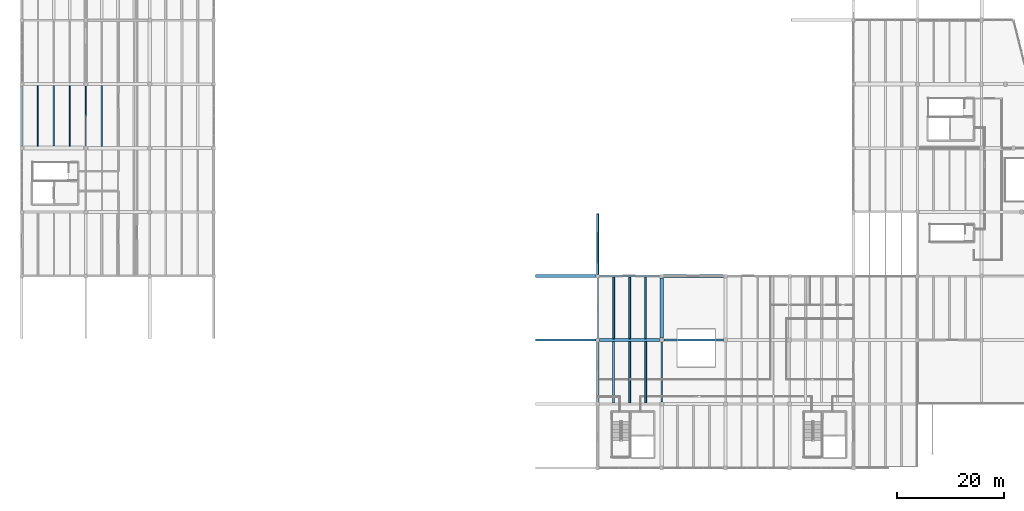
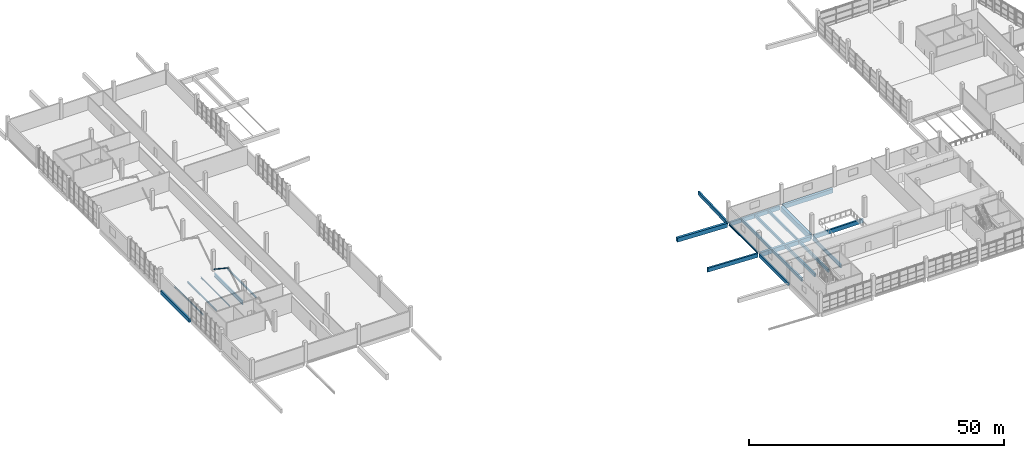
# One storey, part 8 of 49: 23 beams, 1 member.
"""IFC4 building model written with IfcOpenShell, lengths in metres."""

from ifc_helpers import new_model, si_unit, direction, frame, origin, origin_2d, place, context, subcontext, project, spatial, rectangle, hollow_rectangle, i_section, extrude, material, material_profile, profile_set, type_object, element, save


model = new_model("IFC4")

# Units and contexts
model_context = context("Model", 3, precision=1e-05, world=origin(), true_north=direction((0.0, 1.0)))
body_context = subcontext(model_context, "Body", "Model", "MODEL_VIEW")
ifc_project = project(units=[si_unit("LENGTHUNIT", "METRE"), si_unit("AREAUNIT", "SQUARE_METRE"), si_unit("VOLUMEUNIT", "CUBIC_METRE"), si_unit("PLANEANGLEUNIT", "RADIAN"), si_unit("MASSUNIT", "GRAM", prefix="KILO")], contexts=[model_context])

# Site, building, storey
site_placement = place(None, origin())
site = spatial("IfcSite", under=ifc_project, at=site_placement, CompositionType="ELEMENT")
building_placement = place(site_placement, origin())
building = spatial("IfcBuilding", under=site, at=building_placement, Name="Kamomehara Wholesale Market", CompositionType="ELEMENT")
storey_placement = place(building_placement, frame((0.0, 0.0, 11.39990234375)))
storey = spatial("IfcBuildingStorey", under=building, at=storey_placement, Name="L02", CompositionType="ELEMENT", Elevation=11.39990234375)

# Beams
ifc_material_1 = material(Name="Precast concrete Fc45 (C40/50)", Category="concrete")
ifc_material_profile_1 = material_profile(ifc_material_1, rectangle(XDim=0.64990234375, YDim=1.25, at=origin_2d()), Name="PC-GRD-650x1250")
ifc_profile_set_1 = profile_set([ifc_material_profile_1], Name="Precast concrete Fc45 (C40/50)")
beam_type_1 = type_object("IfcBeamType", Name="BM-PG1250", PredefinedType="T_BEAM", material=ifc_profile_set_1)
beam_1_placement = place(storey_placement, frame((120.0, 36.39990234375, -0.966796875), z_axis=(0.0, 1.0, 0.0), x_axis=(-1.0, 0.0, 0.0)))
element("IfcBeam", 1, at=beam_1_placement, inside=storey, type_object=beam_type_1, Name="Beam PG-04 L02", PredefinedType="T_BEAM", context=body_context, shape_type="SweptSolid", body=[
    extrude(rectangle(XDim=0.64990234375, YDim=1.25, at=origin_2d()), origin(), (0.0, 0.0, 1.0), 11.22509765625),
])
ifc_material_2 = material(Name="Precast concrete Fc45 (C40/50)", Category="concrete")
ifc_material_profile_2 = material_profile(ifc_material_2, rectangle(XDim=0.300048828125, YDim=0.60009765625, at=origin_2d()), Name="PC-JST-300x600")
ifc_profile_set_2 = profile_set([ifc_material_profile_2], Name="Precast concrete Fc45 (C40/50)")
beam_type_2 = type_object("IfcBeamType", Name="BM-PJ600B", PredefinedType="JOIST", material=ifc_profile_set_2)
beam_2_placement = place(storey_placement, frame((117.0, 36.27490234375, -0.621826171875), z_axis=(0.0, 1.0, 0.0), x_axis=(-1.0, 0.0, 0.0)))
element("IfcBeam", 2, at=beam_2_placement, inside=storey, type_object=beam_type_2, Name="Beam PJ-10 L02", PredefinedType="JOIST", context=body_context, shape_type="SweptSolid", body=[
    extrude(rectangle(XDim=0.300048828125, YDim=0.60009765625, at=origin_2d()), origin(), (0.0, 0.0, 1.0), 11.525146484375),
])
ifc_material_3 = material(Name="Precast concrete Fc45 (C40/50)", Category="concrete")
ifc_material_profile_3 = material_profile(ifc_material_3, rectangle(XDim=0.35009765625, YDim=0.64990234375, at=origin_2d()), Name="PC-JST-350x650")
ifc_profile_set_3 = profile_set([ifc_material_profile_3], Name="Precast concrete Fc45 (C40/50)")
beam_type_3 = type_object("IfcBeamType", Name="BM-PJ650", PredefinedType="JOIST", material=ifc_profile_set_3)
beam_3_placement = place(storey_placement, frame((114.0, 36.27490234375, -0.64697265625), z_axis=(0.0, 1.0, 0.0), x_axis=(-1.0, 0.0, 0.0)))
element("IfcBeam", 3, at=beam_3_placement, inside=storey, type_object=beam_type_3, Name="Beam PJ-04 L02", PredefinedType="JOIST", context=body_context, shape_type="SweptSolid", body=[
    extrude(rectangle(XDim=0.35009765625, YDim=0.64990234375, at=origin_2d()), origin(), (0.0, 0.0, 1.0), 11.525146484375),
])
ifc_material_4 = material(Name="Precast concrete Fc45 (C40/50)", Category="concrete")
ifc_material_profile_4 = material_profile(ifc_material_4, rectangle(XDim=0.340087890625, YDim=0.679931640625, at=origin_2d()), Name="PC-JST-340x680")
ifc_profile_set_4 = profile_set([ifc_material_profile_4], Name="Precast concrete Fc45 (C40/50)")
beam_type_4 = type_object("IfcBeamType", Name="BM-PJ680", PredefinedType="JOIST", material=ifc_profile_set_4)
beam_4_placement = place(storey_placement, frame((111.0, 36.27490234375, -0.661865234375), z_axis=(0.0, 1.0, 0.0), x_axis=(-1.0, 0.0, 0.0)))
element("IfcBeam", 4, at=beam_4_placement, inside=storey, type_object=beam_type_4, Name="Beam PJ-09 L02", PredefinedType="JOIST", context=body_context, shape_type="SweptSolid", body=[
    extrude(rectangle(XDim=0.340087890625, YDim=0.679931640625, at=origin_2d()), origin(), (0.0, 0.0, 1.0), 11.525146484375),
])
ifc_material_5 = material(Name="Precast concrete Fc45 (C40/50)", Category="concrete")
ifc_material_profile_5 = material_profile(ifc_material_5, rectangle(XDim=0.35009765625, YDim=0.699951171875, at=origin_2d()), Name="PC-JST-350x700")
ifc_profile_set_5 = profile_set([ifc_material_profile_5], Name="Precast concrete Fc45 (C40/50)")
beam_type_5 = type_object("IfcBeamType", Name="BM-PJ700", PredefinedType="JOIST", material=ifc_profile_set_5)
beam_5_placement = place(storey_placement, frame((117.0, 24.199951171875, -0.671875), z_axis=(0.0, 1.0, 0.0), x_axis=(-1.0, 0.0, 0.0)))
element("IfcBeam", 5, at=beam_5_placement, inside=storey, type_object=beam_type_5, Name="Beam PJ-03 L02", PredefinedType="JOIST", context=body_context, shape_type="SweptSolid", body=[
    extrude(rectangle(XDim=0.35009765625, YDim=0.699951171875, at=origin_2d()), origin(), (0.0, 0.0, 1.0), 11.525146484375),
])
ifc_material_6 = material(Name="Precast concrete Fc45 (C40/50)", Category="concrete")
ifc_material_profile_6 = material_profile(ifc_material_6, rectangle(XDim=0.360107421875, YDim=0.719970703125, at=origin_2d()), Name="PC-JST-360x720")
ifc_profile_set_6 = profile_set([ifc_material_profile_6], Name="Precast concrete Fc45 (C40/50)")
beam_type_6 = type_object("IfcBeamType", Name="BM-PJ720", PredefinedType="JOIST", material=ifc_profile_set_6)
beam_6_placement = place(storey_placement, frame((114.0, 24.199951171875, -0.681884765625), z_axis=(0.0, 1.0, 0.0), x_axis=(-1.0, 0.0, 0.0)))
element("IfcBeam", 6, at=beam_6_placement, inside=storey, type_object=beam_type_6, Name="Beam PJ-08 L02", PredefinedType="JOIST", context=body_context, shape_type="SweptSolid", body=[
    extrude(rectangle(XDim=0.360107421875, YDim=0.719970703125, at=origin_2d()), origin(), (0.0, 0.0, 1.0), 11.525146484375),
])
ifc_material_7 = material(Name="Precast concrete Fc45 (C40/50)", Category="concrete")
ifc_material_profile_7 = material_profile(ifc_material_7, rectangle(XDim=0.3798828125, YDim=0.75, at=origin_2d()), Name="PC-JST-380x750")
ifc_profile_set_7 = profile_set([ifc_material_profile_7], Name="Precast concrete Fc45 (C40/50)")
beam_type_7 = type_object("IfcBeamType", Name="BM-PJ750", PredefinedType="JOIST", material=ifc_profile_set_7)
beam_7_placement = place(storey_placement, frame((111.0, 24.199951171875, -0.697021484375), z_axis=(0.0, 1.0, 0.0), x_axis=(-1.0, 0.0, 0.0)))
element("IfcBeam", 7, at=beam_7_placement, inside=storey, type_object=beam_type_7, Name="Beam PJ-02 L02", PredefinedType="JOIST", context=body_context, shape_type="SweptSolid", body=[
    extrude(rectangle(XDim=0.3798828125, YDim=0.75, at=origin_2d()), origin(), (0.0, 0.0, 1.0), 11.525146484375),
])
ifc_material_8 = material(Name="Concrete Fc36 (C35/45)", Category="concrete")
ifc_material_profile_8 = material_profile(ifc_material_8, rectangle(XDim=0.550048828125, YDim=1.0, at=origin_2d()), Name="RC-SEB-550x1000")
ifc_profile_set_8 = profile_set([ifc_material_profile_8], Name="Concrete Fc36 (C35/45)")
beam_type_8 = type_object("IfcBeamType", Name="BM-SEB1000-EXT", PredefinedType="SPANDREL", material=ifc_profile_set_8)
beam_8_placement = place(storey_placement, frame((108.324951171875, 36.0, -0.822021484375), z_axis=(1.0, 0.0, 0.0), x_axis=(0.0, 1.0, 0.0)))
element("IfcBeam", 8, at=beam_8_placement, inside=storey, type_object=beam_type_8, Name="Beam SEB-03E L02", PredefinedType="SPANDREL", context=body_context, shape_type="SweptSolid", body=[
    extrude(rectangle(XDim=0.550048828125, YDim=1.0, at=origin_2d()), origin(), (0.0, 0.0, 1.0), 11.275146484375),
])
beam_9_placement = place(storey_placement, frame((96.324951171875, 48.0, -0.35986328125), z_axis=(0.999379124949, 0.0, -0.035233004642), x_axis=(0.0, 1.0, 0.0)))
element("IfcBeam", 9, at=beam_9_placement, inside=storey, type_object=beam_type_8, Name="Beam SEB-03E L02", PredefinedType="SPANDREL", context=body_context, shape_type="SweptSolid", body=[
    extrude(rectangle(XDim=0.550048828125, YDim=1.0, at=origin_2d()), origin(), (0.0, 0.0, 1.0), 11.357177734375),
])
beam_10_placement = place(storey_placement, frame((120.375, 48.0, -0.841796875), z_axis=(1.0, 0.0, 0.0), x_axis=(0.0, 1.0, 0.0)))
element("IfcBeam", 10, at=beam_10_placement, inside=storey, type_object=beam_type_8, Name="Beam SEB-03E L02", PredefinedType="SPANDREL", context=body_context, shape_type="SweptSolid", body=[
    extrude(rectangle(XDim=0.550048828125, YDim=1.0, at=origin_2d()), origin(), (0.0, 0.0, 1.0), 11.25),
])
ifc_material_9 = material(Name="Precast concrete Fc45 (C40/50)", Category="concrete")
ifc_material_profile_9 = material_profile(ifc_material_9, rectangle(XDim=0.35009765625, YDim=0.85009765625, at=origin_2d()), Name="PC-SPN-350x850")
ifc_profile_set_9 = profile_set([ifc_material_profile_9], Name="Precast concrete Fc45 (C40/50)")
beam_type_9 = type_object("IfcBeamType", Name="BM-SPN850-EXT", PredefinedType="SPANDREL", material=ifc_profile_set_9)
beam_11_placement = place(storey_placement, frame((108.0, 24.324951171875, -0.746826171875), z_axis=(0.0, 1.0, 0.0), x_axis=(-1.0, 0.0, 0.0)))
element("IfcBeam", 11, at=beam_11_placement, inside=storey, type_object=beam_type_9, Name="Beam SPN-02E L02", PredefinedType="SPANDREL", context=body_context, shape_type="SweptSolid", body=[
    extrude(rectangle(XDim=0.35009765625, YDim=0.85009765625, at=origin_2d()), origin(), (0.0, 0.0, 1.0), 11.35009765625),
])
beam_12_placement = place(storey_placement, frame((108.0, 48.324951171875, -0.684814453125), z_axis=(0.0, 0.99937988164, 0.035211534655), x_axis=(-1.0, 0.0, 0.0)))
element("IfcBeam", 12, at=beam_12_placement, inside=storey, type_object=beam_type_9, Name="Beam SPN-02E L02", PredefinedType="SPANDREL", context=body_context, shape_type="SweptSolid", body=[
    extrude(rectangle(XDim=0.35009765625, YDim=0.85009765625, at=origin_2d()), origin(), (0.0, 0.0, 1.0), 11.357177734375),
])
ifc_material_10 = material(Name="Precast concrete Fc45 (C40/50)", Category="concrete")
ifc_material_profile_10 = material_profile(ifc_material_10, rectangle(XDim=0.39990234375, YDim=0.949951171875, at=origin_2d()), Name="PC-SPN-400x950")
ifc_profile_set_10 = profile_set([ifc_material_profile_10], Name="Precast concrete Fc45 (C40/50)")
beam_type_10 = type_object("IfcBeamType", Name="BM-SPN950-EXT", PredefinedType="SPANDREL", material=ifc_profile_set_10)
beam_13_placement = place(storey_placement, frame((96.324951171875, 36.0, -0.3349609375), z_axis=(0.99937988164, 0.0, -0.035211534655), x_axis=(0.0, 1.0, 0.0)))
element("IfcBeam", 13, at=beam_13_placement, inside=storey, type_object=beam_type_10, Name="Beam SPN-01E L02", PredefinedType="SPANDREL", context=body_context, shape_type="SweptSolid", body=[
    extrude(rectangle(XDim=0.39990234375, YDim=0.949951171875, at=origin_2d()), origin(), (0.0, 0.0, 1.0), 11.357177734375),
])
beam_14_placement = place(storey_placement, frame((120.39990234375, 36.0, -0.81689453125), z_axis=(1.0, 0.0, 0.0), x_axis=(0.0, 1.0, 0.0)))
element("IfcBeam", 14, at=beam_14_placement, inside=storey, type_object=beam_type_10, Name="Beam SPN-01E L02", PredefinedType="SPANDREL", context=body_context, shape_type="SweptSolid", body=[
    extrude(rectangle(XDim=0.39990234375, YDim=0.949951171875, at=origin_2d()), origin(), (0.0, 0.0, 1.0), 11.2001953125),
])
beam_15_placement = place(storey_placement, frame((108.324951171875, 48.0, -0.796875), z_axis=(1.0, 0.0, 0.0), x_axis=(0.0, 1.0, 0.0)))
element("IfcBeam", 15, at=beam_15_placement, inside=storey, type_object=beam_type_10, Name="Beam SPN-01E L02", PredefinedType="SPANDREL", context=body_context, shape_type="SweptSolid", body=[
    extrude(rectangle(XDim=0.39990234375, YDim=0.949951171875, at=origin_2d()), origin(), (0.0, 0.0, 1.0), 11.300048828125),
])
beam_16_placement = place(storey_placement, frame((0.0, 72.389892578125, -0.81689453125), z_axis=(0.0, 1.0, 0.0), x_axis=(-1.0, 0.0, 0.0)))
element("IfcBeam", 16, at=beam_16_placement, inside=storey, type_object=beam_type_10, Name="Beam SPN-01E L02", PredefinedType="SPANDREL", context=body_context, shape_type="SweptSolid", body=[
    extrude(rectangle(XDim=0.39990234375, YDim=0.949951171875, at=origin_2d()), origin(), (0.0, 0.0, 1.0), 11.22021484375),
])
ifc_material_11 = material(Name="Steel SN400B", Category="steel")
ifc_material_profile_11 = material_profile(ifc_material_11, i_section(OverallWidth=0.14990234375, OverallDepth=0.300048828125, WebThickness=0.006591796875, FlangeThickness=0.009033203125, FilletRadius=0.012939453125, at=origin_2d()), Name="H-300x150x6.5x9")
ifc_profile_set_11 = profile_set([ifc_material_profile_11], Name="Steel SN400B")
beam_type_11 = type_object("IfcBeamType", Name="BM-ST-H300", PredefinedType="JOIST", material=ifc_profile_set_11)
beam_17_placement = place(storey_placement, frame((9.0, 72.35009765625, -0.491943359375), z_axis=(0.0, 1.0, 0.0), x_axis=(-1.0, 0.0, 0.0)))
element("IfcBeam", 17, at=beam_17_placement, inside=storey, type_object=beam_type_11, Name="Beam SJ-05 L02", PredefinedType="JOIST", context=body_context, shape_type="SweptSolid", body=[
    extrude(i_section(OverallWidth=0.14990234375, OverallDepth=0.300048828125, WebThickness=0.006591796875, FlangeThickness=0.009033203125, FilletRadius=0.012939453125, at=origin_2d()), origin(), (0.0, 0.0, 1.0), 11.375),
])
ifc_material_12 = material(Name="Steel SN490B", Category="steel")
ifc_material_profile_12 = material_profile(ifc_material_12, i_section(OverallWidth=0.25, OverallDepth=0.340087890625, WebThickness=0.009033203125, FlangeThickness=0.013916015625, FilletRadius=0.012939453125, at=origin_2d()), Name="H-340x250x9x14")
ifc_profile_set_12 = profile_set([ifc_material_profile_12], Name="Steel SN490B")
beam_type_12 = type_object("IfcBeamType", Name="BM-ST-H340", PredefinedType="JOIST", material=ifc_profile_set_12)
beam_18_placement = place(storey_placement, frame((6.0, 72.35009765625, -0.511962890625), z_axis=(0.0, 1.0, 0.0), x_axis=(-1.0, 0.0, 0.0)))
element("IfcBeam", 18, at=beam_18_placement, inside=storey, type_object=beam_type_12, Name="Beam SJ-08 L02", PredefinedType="JOIST", context=body_context, shape_type="SweptSolid", body=[
    extrude(i_section(OverallWidth=0.25, OverallDepth=0.340087890625, WebThickness=0.009033203125, FlangeThickness=0.013916015625, FilletRadius=0.012939453125, at=origin_2d()), origin(), (0.0, 0.0, 1.0), 11.375),
])
beam_19_placement = place(storey_placement, frame((15.0, 72.31005859375, -0.511962890625), z_axis=(0.0, 1.0, 0.0), x_axis=(-1.0, 0.0, 0.0)))
element("IfcBeam", 19, at=beam_19_placement, inside=storey, type_object=beam_type_12, Name="Beam SJ-08 L02", PredefinedType="JOIST", context=body_context, shape_type="SweptSolid", body=[
    extrude(i_section(OverallWidth=0.25, OverallDepth=0.340087890625, WebThickness=0.009033203125, FlangeThickness=0.013916015625, FilletRadius=0.012939453125, at=origin_2d()), origin(), (0.0, 0.0, 1.0), 11.429931640625),
])
ifc_material_13 = material(Name="Steel SN400B", Category="steel")
ifc_material_profile_13 = material_profile(ifc_material_13, i_section(OverallWidth=0.175048828125, OverallDepth=0.35009765625, WebThickness=0.007080078125, FlangeThickness=0.010986328125, FilletRadius=0.012939453125, at=origin_2d()), Name="H-350x175x7x11")
ifc_profile_set_13 = profile_set([ifc_material_profile_13], Name="Steel SN400B")
beam_type_13 = type_object("IfcBeamType", Name="BM-ST-H350", PredefinedType="JOIST", material=ifc_profile_set_13)
beam_20_placement = place(storey_placement, frame((3.0, 72.35009765625, -0.516845703125), z_axis=(0.0, 1.0, 0.0), x_axis=(-1.0, 0.0, 0.0)))
element("IfcBeam", 20, at=beam_20_placement, inside=storey, type_object=beam_type_13, Name="Beam SJ-04 L02", PredefinedType="JOIST", context=body_context, shape_type="SweptSolid", body=[
    extrude(i_section(OverallWidth=0.175048828125, OverallDepth=0.35009765625, WebThickness=0.007080078125, FlangeThickness=0.010986328125, FilletRadius=0.012939453125, at=origin_2d()), origin(), (0.0, 0.0, 1.0), 11.375),
])
ifc_material_14 = material(Name="Steel SN490B", Category="steel")
ifc_material_profile_14 = material_profile(ifc_material_14, i_section(OverallWidth=0.300048828125, OverallDepth=0.389892578125, WebThickness=0.010009765625, FlangeThickness=0.01611328125, FilletRadius=0.01806640625, at=origin_2d()), Name="H-390x300x10x16")
ifc_profile_set_14 = profile_set([ifc_material_profile_14], Name="Steel SN490B")
beam_type_14 = type_object("IfcBeamType", Name="BM-ST-H390-EXT", PredefinedType="SPANDREL", material=ifc_profile_set_14)
beam_21_placement = place(storey_placement, frame((108.0, 36.324951171875, -0.516845703125), z_axis=(0.0, 1.0, 0.0), x_axis=(-1.0, 0.0, 0.0)))
element("IfcBeam", 21, at=beam_21_placement, inside=storey, type_object=beam_type_14, Name="Beam SJ-03E L02", PredefinedType="SPANDREL", context=body_context, shape_type="SweptSolid", body=[
    extrude(i_section(OverallWidth=0.300048828125, OverallDepth=0.389892578125, WebThickness=0.010009765625, FlangeThickness=0.01611328125, FilletRadius=0.01806640625, at=origin_2d()), origin(), (0.0, 0.0, 1.0), 11.35009765625),
])
ifc_material_15 = material(Name="Steel SN490B", Category="steel")
ifc_material_profile_15 = material_profile(ifc_material_15, i_section(OverallWidth=0.300048828125, OverallDepth=0.800048828125, WebThickness=0.013916015625, FlangeThickness=0.02587890625, FilletRadius=0.02392578125, at=origin_2d()), Name="H-800x300x14x26")
ifc_profile_set_15 = profile_set([ifc_material_profile_15], Name="Steel SN490B")
beam_type_15 = type_object("IfcBeamType", Name="BM-ST-H800", PredefinedType="BEAM", material=ifc_profile_set_15)
beam_22_placement = place(storey_placement, frame((120.0, 24.39990234375, -0.741943359375), z_axis=(0.0, 1.0, 0.0), x_axis=(-1.0, 0.0, 0.0)))
element("IfcBeam", 22, at=beam_22_placement, inside=storey, type_object=beam_type_15, Name="Beam SG-02 L02", PredefinedType="BEAM", context=body_context, shape_type="SweptSolid", body=[
    extrude(i_section(OverallWidth=0.300048828125, OverallDepth=0.800048828125, WebThickness=0.013916015625, FlangeThickness=0.02587890625, FilletRadius=0.02392578125, at=origin_2d()), origin(), (0.0, 0.0, 1.0), 11.2001953125),
])
ifc_material_16 = material(Name="Steel SN490B", Category="steel")
ifc_material_profile_16 = material_profile(ifc_material_16, i_section(OverallWidth=0.300048828125, OverallDepth=0.89990234375, WebThickness=0.01611328125, FlangeThickness=0.028076171875, FilletRadius=0.02392578125, at=origin_2d()), Name="H-900x300x16x28")
ifc_profile_set_16 = profile_set([ifc_material_profile_16], Name="Steel SN490B")
beam_type_16 = type_object("IfcBeamType", Name="BM-ST-H900", PredefinedType="BEAM", material=ifc_profile_set_16)
beam_23_placement = place(storey_placement, frame((12.0, 72.389892578125, -0.7919921875), z_axis=(0.0, 1.0, 0.0), x_axis=(-1.0, 0.0, 0.0)))
element("IfcBeam", 23, at=beam_23_placement, inside=storey, type_object=beam_type_16, Name="Beam SG-01 L02", PredefinedType="BEAM", context=body_context, shape_type="SweptSolid", body=[
    extrude(i_section(OverallWidth=0.300048828125, OverallDepth=0.89990234375, WebThickness=0.01611328125, FlangeThickness=0.028076171875, FilletRadius=0.02392578125, at=origin_2d()), origin(), (0.0, 0.0, 1.0), 11.22021484375),
])

# Member
ifc_material_17 = material(Name="Steel SN490B", Category="steel")
ifc_material_profile_17 = material_profile(ifc_material_17, hollow_rectangle(XDim=0.199951171875, YDim=0.199951171875, WallThickness=0.009033203125, at=origin_2d()), Name="RHS-200x200x9")
ifc_profile_set_17 = profile_set([ifc_material_profile_17], Name="Steel SN490B")
member_type = type_object("IfcMemberType", Name="MEM-BR-RHS200", PredefinedType="BRACE", material=ifc_profile_set_17)
member_placement = place(storey_placement, frame((12.0, 84.0, 0.2001953125), z_axis=(0.0, -0.832050294338, 0.554700196225), x_axis=(1.0, 0.0, 0.0)))
element("IfcMember", 24, at=member_placement, inside=storey, type_object=member_type, Name="Lateral frame brace V3 72B", PredefinedType="BRACE", context=body_context, shape_type="SweptSolid", body=[
    extrude(hollow_rectangle(XDim=0.199951171875, YDim=0.199951171875, WallThickness=0.009033203125, at=origin_2d()), origin(), (0.0, 0.0, 1.0), 7.211181640625),
])

save(model, "model.ifc")
